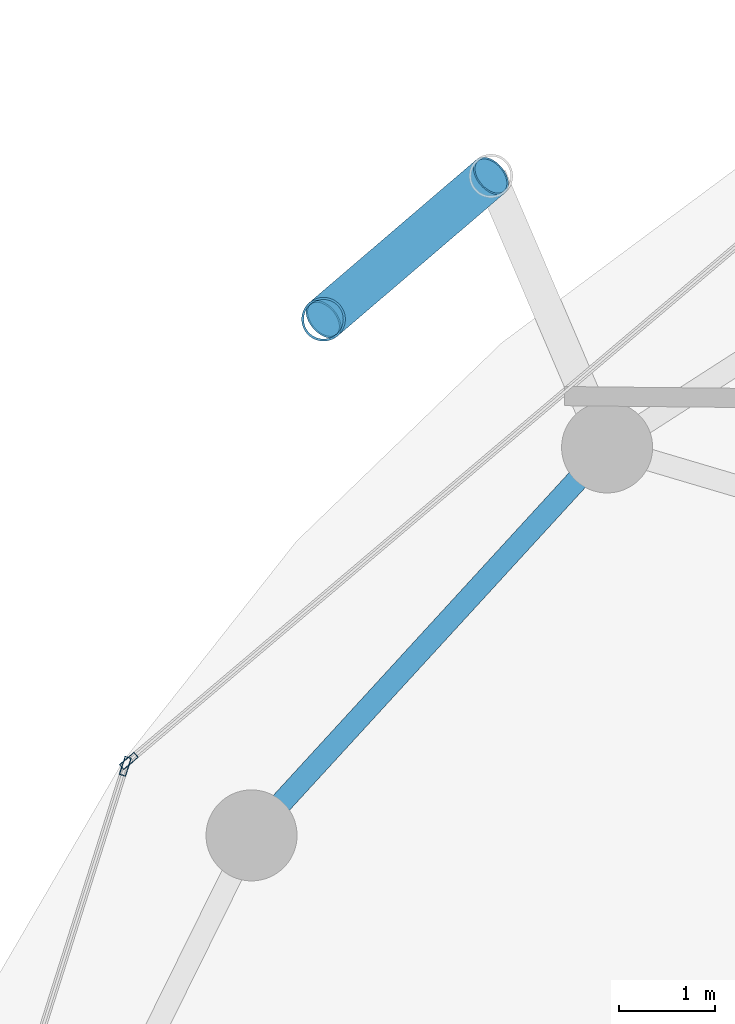
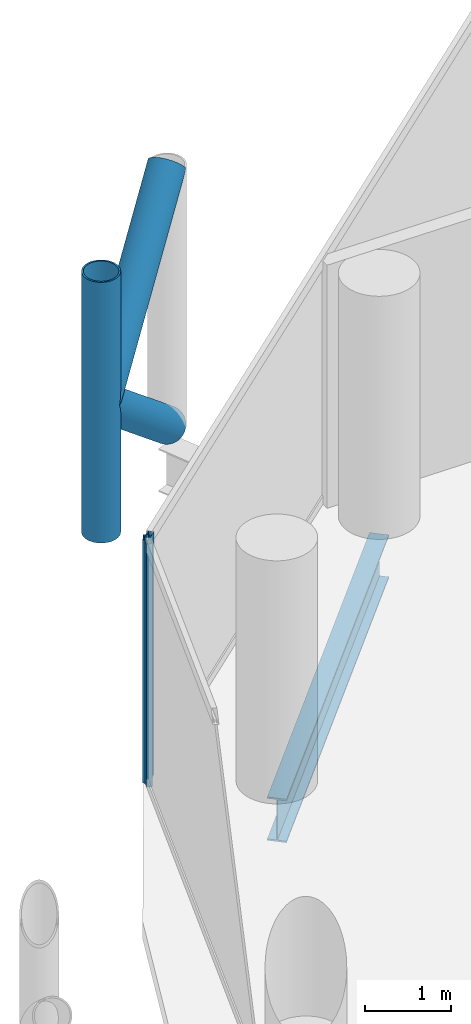
# One storey, part 13 of 26: 5 members, 1 beam, 2 elements without a shape of their own.
"""IFC4 building model written with IfcOpenShell, lengths in metres."""

from ifc_helpers import new_model, si_unit, direction, frame, origin, origin_2d, place, context, subcontext, project, spatial, hollow_rectangle, hollow_circle, i_section, extrude, material, layer, layer_set, material_profile, profile_set, type_object, element, aggregate, save


model = new_model("IFC4")

# Units and contexts
model_context = context("Model", 3, precision=1e-05, world=origin(), true_north=direction((0.0, 1.0)))
body_context = subcontext(model_context, "Body", "Model", "MODEL_VIEW")
ifc_project = project(units=[si_unit("LENGTHUNIT", "METRE"), si_unit("AREAUNIT", "SQUARE_METRE"), si_unit("VOLUMEUNIT", "CUBIC_METRE"), si_unit("PLANEANGLEUNIT", "RADIAN"), si_unit("MASSUNIT", "GRAM", prefix="KILO")], contexts=[model_context])

# Site, building, storey
site_placement = place(None, origin())
site = spatial("IfcSite", under=ifc_project, at=site_placement, CompositionType="ELEMENT")
building_placement = place(site_placement, origin())
building = spatial("IfcBuilding", under=site, at=building_placement, Name="Nuhasar Tower", CompositionType="ELEMENT")
storey_placement = place(building_placement, frame((0.0, 0.0, 173.75)))
storey = spatial("IfcBuildingStorey", under=building, at=storey_placement, Name="L42", CompositionType="ELEMENT", Elevation=173.75)

# Beam
ifc_material_1 = material(Name="Steel S355", Category="steel")
ifc_material_profile_1 = material_profile(ifc_material_1, i_section(OverallWidth=0.22998046875, OverallDepth=0.616943359375, WebThickness=0.01318359375, FlangeThickness=0.022216796875, at=origin_2d()), Name="W24X94")
ifc_profile_set_1 = profile_set([ifc_material_profile_1], Name="Steel S355")
beam_type = type_object("IfcBeamType", Name="BM-RING-W24X94", PredefinedType="SPANDREL", material=ifc_profile_set_1)
beam_placement = place(storey_placement, frame((22.489013671875, 40.6240234375, -0.55908203125), z_axis=(-0.675654174897, -0.737218716491, 0.0), x_axis=(0.737218716491, -0.675654174897, 0.0)))
element("IfcBeam", 1, at=beam_placement, inside=storey, type_object=beam_type, Name="L42 Perimeter Ring Spandrel 10", PredefinedType="SPANDREL", context=body_context, shape_type="SweptSolid", body=[
    extrude(i_section(OverallWidth=0.22998046875, OverallDepth=0.616943359375, WebThickness=0.01318359375, FlangeThickness=0.022216796875, at=origin_2d()), origin(), (0.0, 0.0, 1.0), 5.492431640625),
])

# Curtain wall, member
ifc_material_2 = material(Name="Aluminium 6063-T6", Category="aluminium")
ifc_layer = layer(ifc_material_2, 0.199951171875)
ifc_layer_set = layer_set([ifc_layer], Name="Aluminium 6063-T6")
curtain_wall_type = type_object("IfcCurtainWallType", Name="CW-Z2-HTL", PredefinedType="NOTDEFINED", material=ifc_layer_set)
curtain_wall_1_placement = place(storey_placement, origin())
curtain_wall_1 = element("IfcCurtainWall", 2, at=curtain_wall_1_placement, inside=storey, type_object=curtain_wall_type, Name="L42 Unitised Curtain Wall 05", PredefinedType="NOTDEFINED")
ifc_material_profile_2 = material_profile(ifc_material_2, hollow_rectangle(XDim=0.070068359375, YDim=0.199951171875, WallThickness=0.0048828125, at=origin_2d()), Name="CWM-3")
ifc_profile_set_2 = profile_set([ifc_material_profile_2], Name="Aluminium 6063-T6")
member_type_1 = type_object("IfcMemberType", Name="CW-MUL-S3", PredefinedType="MULLION", material=ifc_profile_set_2)
member_1_placement = place(storey_placement, frame((17.497802734375, 37.3525390625, 0.0), z_axis=(0.0, 0.0, 1.0), x_axis=(0.646374438324, -0.763020370292, 0.0)))
member_1 = element("IfcMember", 3, at=member_1_placement, type_object=member_type_1, Name="CW-Z2 mullion 2", PredefinedType="MULLION", context=body_context, shape_type="SweptSolid", body=[
    extrude(hollow_rectangle(XDim=0.070068359375, YDim=0.199951171875, WallThickness=0.0048828125, at=origin_2d()), origin(), (0.0, 0.0, 1.0), 3.449951171875),
])
aggregate(curtain_wall_1, [member_1])

curtain_wall_2_placement = place(storey_placement, origin())
curtain_wall_2 = element("IfcCurtainWall", 4, at=curtain_wall_2_placement, inside=storey, type_object=curtain_wall_type, Name="L42 Unitised Curtain Wall 06", PredefinedType="NOTDEFINED")
member_2_placement = place(storey_placement, frame((17.46044921875, 37.296630859375, 0.0), z_axis=(0.0, 0.0, 1.0), x_axis=(0.953433389233, -0.301603667577, 0.0)))
member_2 = element("IfcMember", 5, at=member_2_placement, type_object=member_type_1, Name="CW-Z2 mullion 1", PredefinedType="MULLION", context=body_context, shape_type="SweptSolid", body=[
    extrude(hollow_rectangle(XDim=0.070068359375, YDim=0.199951171875, WallThickness=0.0048828125, at=origin_2d()), origin(), (0.0, 0.0, 1.0), 3.449951171875),
])
aggregate(curtain_wall_2, [member_2])

# Members
ifc_material_3 = material(Name="Steel S460", Category="steel")
ifc_material_profile_3 = material_profile(ifc_material_3, hollow_circle(Radius=0.228515625, WallThickness=0.022216796875, at=origin_2d()), Name="HSS457X22.2")
ifc_profile_set_3 = profile_set([ifc_material_profile_3], Name="Steel S460")
member_type_2 = type_object("IfcMemberType", Name="EXO-BRONZE-457", PredefinedType="BRACE", material=ifc_profile_set_3)
member_3_placement = place(storey_placement, frame((19.529052734375, 41.9619140625, 0.0), z_axis=(0.0, 0.0, 1.0), x_axis=(1.0, 0.0, 0.0)))
element("IfcMember", 6, at=member_3_placement, inside=storey, type_object=member_type_2, Name="L42 Exoskeleton Chord Column EC-05B", PredefinedType="BRACE", context=body_context, shape_type="SweptSolid", body=[
    extrude(hollow_circle(Radius=0.228515625, WallThickness=0.022216796875, at=origin_2d()), origin(), (0.0, 0.0, 1.0), 3.699951171875),
])
member_4_placement = place(storey_placement, frame((21.277099609375, 43.45703125, 0.0), z_axis=(-0.592170370358, -0.506487618445, 0.626741210415), x_axis=(0.649986859795, -0.759945446788, 0.0)))
element("IfcMember", 7, at=member_4_placement, inside=storey, type_object=member_type_2, Name="L42 Bronze Diagrid Brace W1-05", PredefinedType="BRACE", context=body_context, shape_type="SweptSolid", body=[
    extrude(hollow_circle(Radius=0.228515625, WallThickness=0.022216796875, at=origin_2d()), origin(), (0.0, 0.0, 1.0), 2.951904296875),
])
member_5_placement = place(storey_placement, frame((19.529052734375, 41.9619140625, 1.85009765625), z_axis=(0.592201065785, 0.506513872468, 0.626690988192), x_axis=(-0.649986859795, 0.759945446788, 0.0)))
element("IfcMember", 8, at=member_5_placement, inside=storey, type_object=member_type_2, Name="L42 Bronze Diagrid Brace W2-05", PredefinedType="BRACE", context=body_context, shape_type="SweptSolid", body=[
    extrude(hollow_circle(Radius=0.228515625, WallThickness=0.022216796875, at=origin_2d()), origin(), (0.0, 0.0, 1.0), 2.95166015625),
])

save(model, "model.ifc")
